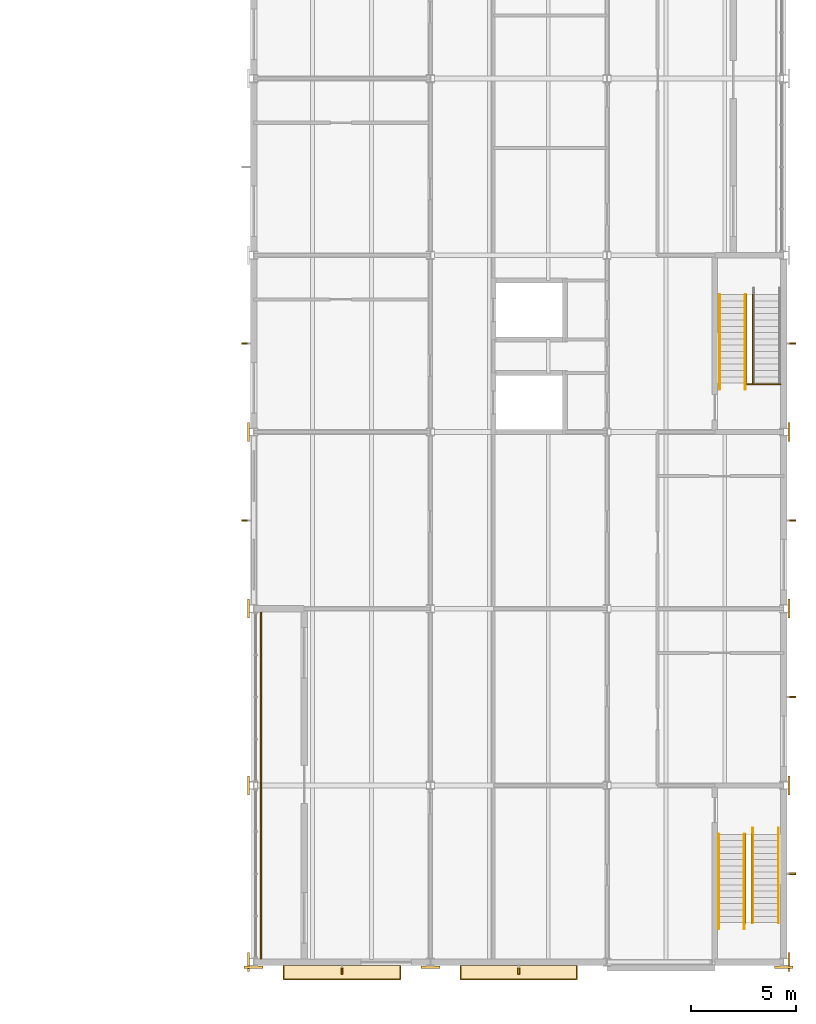
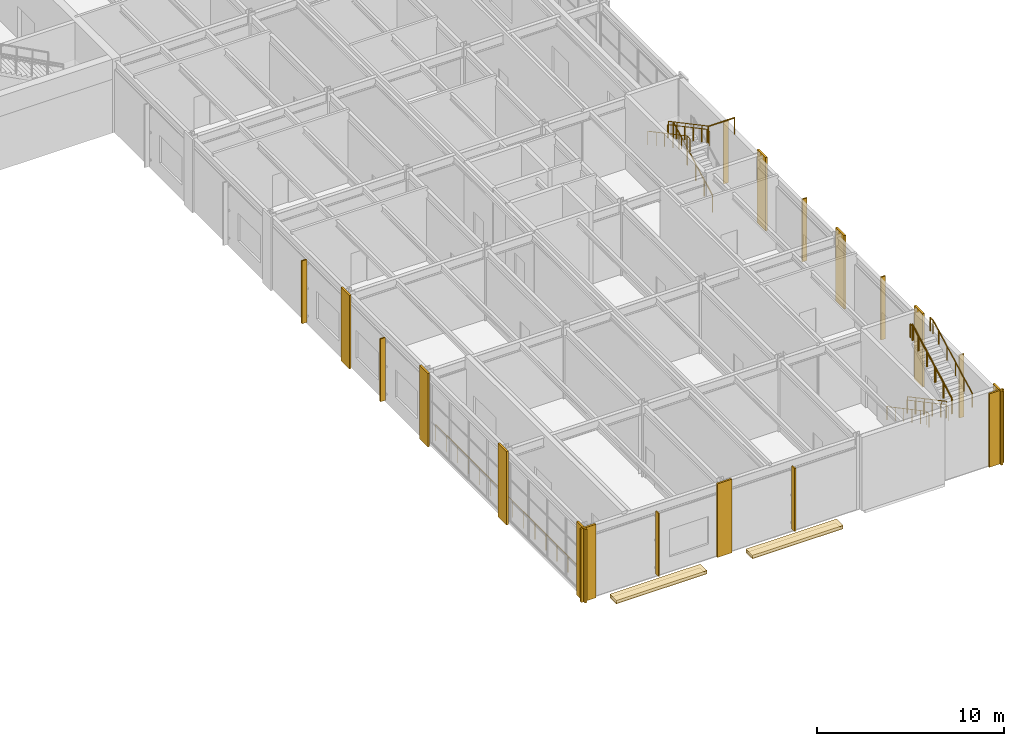
# One storey, part 113 of 127: 15 coverings, 12 railings, 8 shading devices.
"""IFC4 building model written with IfcOpenShell, lengths in metres."""

import ifcopenshell
import ifcopenshell.guid

model = None  # the IFC model being written
_history = None  # IfcOwnerHistory: only IFC2X3 demands one
_inside = {}  # id of a spatial element -> (the spatial element, [elements in it])
_under = {}  # id of a project, library or spatial element -> (it, [spatial elements below it])
_declared = {}  # id of a project -> (the project, [libraries it declares])
_typed = {}  # id of a type object -> (the type object, [elements of that type])
_made_of = {}  # id of a material, layer set ... -> (it, [elements and type objects made of it])


def new_model(schema):
    """Start an empty IFC model of exactly this schema.

    Asked for "IFC4X3", IfcOpenShell would pick the latest addendum, in which some entities
    have other attributes; the version numbers below select the first issue.
    IFC2X3 requires an IfcOwnerHistory on every rooted entity: one is made here for all.
    """
    global model, _history
    if schema == "IFC4X3":
        model = ifcopenshell.file(schema_version=(4, 3, 0, 0))
    else:
        model = ifcopenshell.file(schema=schema)
    _inside.clear()
    _under.clear()
    _declared.clear()
    _typed.clear()
    _made_of.clear()
    _history = None
    if model.schema == "IFC2X3":
        org = make("IfcOrganization", Name="unknown")
        user = make(
            "IfcPersonAndOrganization",
            ThePerson=make("IfcPerson", FamilyName="unknown"),
            TheOrganization=org,
        )
        app = make(
            "IfcApplication",
            ApplicationDeveloper=org,
            Version="unknown",
            ApplicationFullName="unknown",
            ApplicationIdentifier="unknown",
        )
        _history = make(
            "IfcOwnerHistory",
            OwningUser=user,
            OwningApplication=app,
            ChangeAction="ADDED",
            CreationDate=0,
        )
    return model


def make(cls, **values):
    """One entity of the class cls with the attributes given. An attribute that is None is left unset."""
    return model.create_entity(
        cls, **{name: value for name, value in values.items() if value is not None}
    )


def rooted(cls, **values):
    """An entity with a GlobalId (a new one), such as an element, a storey or a relation."""
    return make(cls, GlobalId=ifcopenshell.guid.new(), OwnerHistory=_history, **values)


def si_unit(unit_type, name, prefix=None):
    """IfcSIUnit, for example si_unit("LENGTHUNIT", "METRE", prefix="MILLI")."""
    return make("IfcSIUnit", UnitType=unit_type, Prefix=prefix, Name=name)


def assignment(units):
    """IfcUnitAssignment: the units of a project."""
    return None if units is None else make("IfcUnitAssignment", Units=units)


def point(xyz):
    """IfcCartesianPoint."""
    return None if xyz is None else make("IfcCartesianPoint", Coordinates=xyz)


def direction(xyz):
    """IfcDirection."""
    return None if xyz is None else make("IfcDirection", DirectionRatios=xyz)


def frame(location, z_axis=None, x_axis=None):
    """IfcAxis2Placement3D, a coordinate frame: its origin and axes. An axis left out is left unset."""
    return make(
        "IfcAxis2Placement3D",
        Location=point(location),
        Axis=direction(z_axis),
        RefDirection=direction(x_axis),
    )


def frame_2d(location, x_axis=None):
    """IfcAxis2Placement2D, a coordinate frame in the plane: its origin and x axis."""
    return make(
        "IfcAxis2Placement2D", Location=point(location), RefDirection=direction(x_axis)
    )


def origin():
    """The frame at (0, 0, 0) with its axes left unset."""
    return frame((0.0, 0.0, 0.0))


def origin_2d():
    """The frame at (0, 0) in the plane with its x axis left unset."""
    return frame_2d((0.0, 0.0))


def place(relative_to, where):
    """IfcLocalPlacement: puts the frame where relative to a parent placement (None: the world)."""
    return make(
        "IfcLocalPlacement", PlacementRelTo=relative_to, RelativePlacement=where
    )


def context(
    kind, dimensions, precision=None, world=None, true_north=None, identifier=None
):
    """IfcGeometricRepresentationContext, for example the 3D "Model" context."""
    return make(
        "IfcGeometricRepresentationContext",
        ContextIdentifier=identifier,
        ContextType=kind,
        CoordinateSpaceDimension=dimensions,
        Precision=precision,
        WorldCoordinateSystem=world,
        TrueNorth=true_north,
    )


def subcontext(parent, identifier, kind, view, scale=None):
    """IfcGeometricRepresentationSubContext, for example "Body" below "Model"."""
    return make(
        "IfcGeometricRepresentationSubContext",
        ContextIdentifier=identifier,
        ContextType=kind,
        ParentContext=parent,
        TargetScale=scale,
        TargetView=view,
    )


def project(units=None, contexts=None):
    """IfcProject with its units and contexts."""
    return rooted(
        "IfcProject",
        Name="project",
        RepresentationContexts=contexts,
        UnitsInContext=assignment(units),
    )


def spatial(cls, under=None, at=None, **own):
    """A site, building, storey or space (cls), placed at a placement, below another one or the project."""
    s = rooted(cls, ObjectPlacement=at, **own)
    if under is not None:
        _under.setdefault(under.id(), (under, []))[1].append(s)
    return s


def polyline(points):
    """IfcPolyline through the points."""
    return make("IfcPolyline", Points=[point(p) for p in points])


def profile(cls, at=None, kind="AREA", **sizes):
    """A parametric profile (cls). Its sizes go by their IFC names, for example OverallWidth=200.0."""
    return make(cls, ProfileType=kind, Position=at, **sizes)


def rectangle(**sizes):
    """IfcRectangleProfileDef."""
    return profile("IfcRectangleProfileDef", **sizes)


def circle(**sizes):
    """IfcCircleProfileDef."""
    return profile("IfcCircleProfileDef", **sizes)


def outline(outer, holes=None, kind="AREA"):
    """IfcArbitraryClosedProfileDef: a profile drawn as a closed curve; with holes, ...WithVoids."""
    if holes is None:
        return make("IfcArbitraryClosedProfileDef", ProfileType=kind, OuterCurve=outer)
    return make(
        "IfcArbitraryProfileDefWithVoids",
        ProfileType=kind,
        OuterCurve=outer,
        InnerCurves=holes,
    )


def extrude(swept, where, along, depth):
    """IfcExtrudedAreaSolid: the profile swept, set in the frame where, extruded along a direction by depth."""
    return make(
        "IfcExtrudedAreaSolid",
        SweptArea=swept,
        Position=where,
        ExtrudedDirection=direction(along),
        Depth=depth,
    )


def shape(context_of_items, identifier, shape_type, items):
    """IfcShapeRepresentation: the items that make up one representation, for example the "Body"."""
    return make(
        "IfcShapeRepresentation",
        ContextOfItems=context_of_items,
        RepresentationIdentifier=identifier,
        RepresentationType=shape_type,
        Items=items,
    )


def material(Name=None, Category=None):
    """IfcMaterial."""
    return make("IfcMaterial", Name=Name, Category=Category)


def layer(
    of_material, thickness, ventilated=None, Name=None, Category=None, Priority=None
):
    """IfcMaterialLayer: one layer of a wall or slab, of a material (None: an air gap)."""
    return make(
        "IfcMaterialLayer",
        Material=of_material,
        LayerThickness=thickness,
        IsVentilated=ventilated,
        Name=Name,
        Category=Category,
        Priority=Priority,
    )


def layer_set(layers, Name=None):
    """IfcMaterialLayerSet."""
    return make("IfcMaterialLayerSet", MaterialLayers=layers, LayerSetName=Name)


def made_of(thing, what):
    """Note that an element or type object is made of a material, layer set ...; save() writes the relation."""
    if what is not None:
        _made_of.setdefault(what.id(), (what, []))[1].append(thing)
    return thing


def type_object(cls, material=None, **own):
    """A type object (cls), such as IfcWallType, which elements share."""
    return made_of(rooted(cls, **own), material)


def element(
    cls,
    number,
    at=None,
    inside=None,
    cuts=None,
    type_object=None,
    material=None,
    context=None,
    identifier="Body",
    shape_type=None,
    held_by="IfcProductDefinitionShape",
    body=None,
    shapes=None,
    **own,
):
    """One element of the class cls, such as IfcWall. Its Tag is "e" and its number.

    at: its placement. inside: the storey or other place that contains it. cuts: it is an
    opening in that element (IfcRelVoidsElement). A single representation is given by context,
    identifier, shape_type and body (its items); several are given by shapes. held_by: the class
    of the entity that holds the representations. save() writes the other relations.
    """
    e = rooted(cls, Tag="e%d" % number, ObjectPlacement=at, **own)
    if body is not None:
        shapes = [shape(context, identifier, shape_type, body)]
    if shapes is not None:
        e.Representation = make(held_by, Representations=shapes)
    if inside is not None:
        _inside.setdefault(inside.id(), (inside, []))[1].append(e)
    if cuts is not None:
        rooted(
            "IfcRelVoidsElement", RelatingBuildingElement=cuts, RelatedOpeningElement=e
        )
    if type_object is not None:
        _typed.setdefault(type_object.id(), (type_object, []))[1].append(e)
    return made_of(e, material)


def aggregate(whole, parts):
    """IfcRelAggregates: a whole, such as a stair, and the parts it consists of."""
    return rooted("IfcRelAggregates", RelatingObject=whole, RelatedObjects=parts)


def save(model, path):
    """Write the relations noted so far, then the file.

    IfcRelAggregates (storeys below a building ...), IfcRelContainedInSpatialStructure (elements
    in a storey), IfcRelDefinesByType, IfcRelAssociatesMaterial and IfcRelDeclares: one each for
    every whole, place, type object, material and project.
    """
    for whole, parts in _under.values():
        aggregate(whole, parts)
    for where, things in _inside.values():
        rooted(
            "IfcRelContainedInSpatialStructure",
            RelatedElements=things,
            RelatingStructure=where,
        )
    for kind, things in _typed.values():
        rooted("IfcRelDefinesByType", RelatedObjects=things, RelatingType=kind)
    for what, things in _made_of.values():
        rooted("IfcRelAssociatesMaterial", RelatedObjects=things, RelatingMaterial=what)
    for by, libraries in _declared.values():
        rooted("IfcRelDeclares", RelatingContext=by, RelatedDefinitions=libraries)
    model.write(path)


model = new_model("IFC4")

# Units and contexts
model_context = context("Model", 3, precision=1e-05, world=origin(), true_north=direction((0.0, 1.0)))
body_context = subcontext(model_context, "Body", "Model", "MODEL_VIEW")
ifc_project = project(units=[si_unit("LENGTHUNIT", "METRE"), si_unit("AREAUNIT", "SQUARE_METRE"), si_unit("VOLUMEUNIT", "CUBIC_METRE"), si_unit("PLANEANGLEUNIT", "RADIAN"), si_unit("MASSUNIT", "GRAM", prefix="KILO")], contexts=[model_context])

# Site, building, storey
site_placement = place(None, origin())
site = spatial("IfcSite", under=ifc_project, at=site_placement, CompositionType="ELEMENT")
building_placement = place(site_placement, origin())
building = spatial("IfcBuilding", under=site, at=building_placement, Name="Ljudholm Concert House", CompositionType="ELEMENT")
storey_placement = place(building_placement, frame((0.0, 0.0, 5.39990234375)))
storey = spatial("IfcBuildingStorey", under=building, at=storey_placement, Name="L01", CompositionType="ELEMENT", Elevation=5.39990234375)

# Coverings
ifc_material_1 = material(Name="Aluminium extrusion with timber-grain PVDF finish", Category="aluminium")
ifc_layer_1 = layer(ifc_material_1, 0.030029296875)
ifc_layer_set_1 = layer_set([ifc_layer_1], Name="Aluminium extrusion with timber-grain PVDF finish")
covering_type_1 = type_object("IfcCoveringType", Name="ALUMINIUM EXTRUSION WITH TIMBER-GRAIN PVDF FINISH CEILING 30", PredefinedType="CEILING", material=ifc_layer_set_1)
covering_1_placement = place(storey_placement, frame((0.0, 0.0, -0.429931640625)))
element("IfcCovering", 1, at=covering_1_placement, inside=storey, type_object=covering_type_1, Name="Loading dock soffit", PredefinedType="CEILING", context=body_context, shape_type="SweptSolid", body=[
    extrude(outline(polyline([(97.85009765625, 3.199951171875), (103.35009765625, 3.199951171875), (103.35009765625, 3.85009765625), (97.85009765625, 3.85009765625), (97.85009765625, 3.199951171875)])), origin(), (0.0, 0.0, 1.0), 0.030029296875),
])
covering_2_placement = place(storey_placement, frame((0.0, 0.0, -0.429931640625)))
element("IfcCovering", 2, at=covering_2_placement, inside=storey, type_object=covering_type_1, Name="Loading dock soffit", PredefinedType="CEILING", context=body_context, shape_type="SweptSolid", body=[
    extrude(outline(polyline([(106.25, 3.199951171875), (111.75, 3.199951171875), (111.75, 3.85009765625), (106.25, 3.85009765625), (106.25, 3.199951171875)])), origin(), (0.0, 0.0, 1.0), 0.030029296875),
])

# Shading devices
ifc_material_2 = material(Name="Aluminium extrusion with timber-grain PVDF finish", Category="aluminium")
shading_device_type = type_object("IfcShadingDeviceType", Name="FACADE FIN 300x80", PredefinedType="SHUTTER", material=ifc_material_2)
for number, where, z_axis, x_axis, name in (
    (3, (122.02001953125, 8.199951171875, 0.25), (0.0, 0.0, 1.0), (1.0, 0.0, 0.0), "Facade fin"),
    (4, (122.02001953125, 16.60009765625, 0.25), (0.0, 0.0, 1.0), (1.0, 0.0, 0.0), "Facade fin"),
    (5, (122.02001953125, 25.0, 0.25), (0.0, 0.0, 1.0), (1.0, 0.0, 0.0), "Facade fin"),
    (6, (122.02001953125, 33.39990234375, 0.25), (0.0, 0.0, 1.0), (1.0, 0.0, 0.0), "Facade fin"),
    (7, (100.60009765625, 3.580078125, 0.25), (0.0, 0.0, 1.0), (0.0, -1.0, 0.0), "Facade fin"),
    (8, (109.0, 3.580078125, 0.25), (0.0, 0.0, 1.0), (0.0, -1.0, 0.0), "Facade fin"),
    (9, (95.97998046875, 25.0, 0.25), (0.0, 0.0, 1.0), (-1.0, 0.0, 0.0), "Facade fin"),
    (10, (95.97998046875, 33.39990234375, 0.25), (0.0, 0.0, 1.0), (-1.0, 0.0, 0.0), "Facade fin"),
):
    element("IfcShadingDevice", number, at=place(storey_placement, frame(where, z_axis=z_axis, x_axis=x_axis)), inside=storey, type_object=shading_device_type, Name=name, PredefinedType="SHUTTER", context=body_context, shape_type="SweptSolid", body=[
        extrude(rectangle(XDim=0.300048828125, YDim=0.080078125, at=origin_2d()), origin(), (0.0, 0.0, 1.0), 4.10009765625),
    ])

# Railings
ifc_material_3 = material(Name="Steel ASTM A36", Category="steel")
railing_type_1 = type_object("IfcRailingType", Name="GUARD 1100", PredefinedType="GUARDRAIL", material=ifc_material_3)
railing_1_placement = place(storey_placement, frame((119.77490234375, 10.074951171875, 0.16015625)))
element("IfcRailing", 11, at=railing_1_placement, inside=storey, type_object=railing_type_1, Name="Guard", PredefinedType="GUARDRAIL", context=body_context, shape_type="SweptSolid", body=[
    extrude(circle(Radius=0.02490234375, at=origin_2d()), frame((0.0, 0.0, 1.0751953125), z_axis=(0.0, -0.88233968818, 0.47061308382), x_axis=(1.0, 0.0, 0.0)), (0.0, 0.0, 1.0), 1.02001953125),
    extrude(circle(Radius=0.02490234375, at=origin_2d()), frame((0.0, -0.89990234375, 1.55517578125), z_axis=(0.0, -0.882392687573, 0.470513703219), x_axis=(1.0, 0.0, 0.0)), (0.0, 0.0, 1.0), 1.02001953125),
    extrude(circle(Radius=0.02490234375, at=origin_2d()), frame((0.0, -1.800048828125, 2.03515625), z_axis=(0.0, -0.88233968818, 0.47061308382), x_axis=(1.0, 0.0, 0.0)), (0.0, 0.0, 1.0), 1.02001953125),
    extrude(circle(Radius=0.02490234375, at=origin_2d()), frame((0.0, -2.699951171875, 2.51513671875), z_axis=(0.0, -0.88233968818, 0.47061308382), x_axis=(1.0, 0.0, 0.0)), (0.0, 0.0, 1.0), 1.02001953125),
    extrude(circle(Radius=0.02490234375, at=origin_2d()), frame((0.0, -3.599853515625, 2.9951171875), z_axis=(0.0, -0.882343004153, 0.470606866739), x_axis=(1.0, 0.0, 0.0)), (0.0, 0.0, 1.0), 0.68017578125),
    extrude(circle(Radius=0.02099609375, at=origin_2d()), origin(), (0.0, 0.0, 1.0), 1.050048828125),
    extrude(circle(Radius=0.02099609375, at=origin_2d()), frame((0.0, -0.89990234375, 0.47998046875)), (0.0, 0.0, 1.0), 1.050048828125),
    extrude(circle(Radius=0.02099609375, at=origin_2d()), frame((0.0, -1.800048828125, 0.9599609375)), (0.0, 0.0, 1.0), 1.050048828125),
    extrude(circle(Radius=0.02099609375, at=origin_2d()), frame((0.0, -2.699951171875, 1.43994140625)), (0.0, 0.0, 1.0), 1.050048828125),
    extrude(circle(Radius=0.02099609375, at=origin_2d()), frame((0.0, -3.599853515625, 1.919921875)), (0.0, 0.0, 1.0), 1.050048828125),
    extrude(circle(Radius=0.02099609375, at=origin_2d()), frame((0.0, -4.199951171875, 2.239990234375)), (0.0, 0.0, 1.0), 1.050048828125),
])
railing_2_placement = place(storey_placement, frame((120.074951171875, 5.875, 2.56005859375)))
element("IfcRailing", 12, at=railing_2_placement, inside=storey, type_object=railing_type_1, Name="Guard", PredefinedType="GUARDRAIL", context=body_context, shape_type="SweptSolid", body=[
    extrude(circle(Radius=0.02490234375, at=origin_2d()), frame((0.0, 0.0, 1.0751953125), z_axis=(0.0, 0.88233968818, 0.47061308382), x_axis=(-1.0, 0.0, 0.0)), (0.0, 0.0, 1.0), 1.02001953125),
    extrude(circle(Radius=0.02490234375, at=origin_2d()), frame((0.0, 0.89990234375, 1.55517578125), z_axis=(0.0, 0.882392687573, 0.470513703219), x_axis=(-1.0, 0.0, 0.0)), (0.0, 0.0, 1.0), 1.02001953125),
    extrude(circle(Radius=0.02490234375, at=origin_2d()), frame((0.0, 1.800048828125, 2.03515625), z_axis=(0.0, 0.88233968818, 0.47061308382), x_axis=(-1.0, 0.0, 0.0)), (0.0, 0.0, 1.0), 1.02001953125),
    extrude(circle(Radius=0.02490234375, at=origin_2d()), frame((0.0, 2.699951171875, 2.51513671875), z_axis=(0.0, 0.882392687573, 0.470513703219), x_axis=(-1.0, 0.0, 0.0)), (0.0, 0.0, 1.0), 1.02001953125),
    extrude(circle(Radius=0.02490234375, at=origin_2d()), frame((0.0, 3.60009765625, 2.9951171875), z_axis=(0.0, 0.88226346546, 0.470755963866), x_axis=(-1.0, 0.0, 0.0)), (0.0, 0.0, 1.0), 0.679931640625),
    extrude(circle(Radius=0.02099609375, at=origin_2d()), origin(), (0.0, 0.0, 1.0), 1.050048828125),
    extrude(circle(Radius=0.02099609375, at=origin_2d()), frame((0.0, 0.89990234375, 0.47998046875)), (0.0, 0.0, 1.0), 1.050048828125),
    extrude(circle(Radius=0.02099609375, at=origin_2d()), frame((0.0, 1.800048828125, 0.9599609375)), (0.0, 0.0, 1.0), 1.050048828125),
    extrude(circle(Radius=0.02099609375, at=origin_2d()), frame((0.0, 2.699951171875, 1.43994140625)), (0.0, 0.0, 1.0), 1.050048828125),
    extrude(circle(Radius=0.02099609375, at=origin_2d()), frame((0.0, 3.60009765625, 1.919921875)), (0.0, 0.0, 1.0), 1.050048828125),
    extrude(circle(Radius=0.02099609375, at=origin_2d()), frame((0.0, 4.199951171875, 2.239990234375)), (0.0, 0.0, 1.0), 1.050048828125),
])
railing_3_placement = place(storey_placement, frame((120.125, 31.52490234375, 0.16015625)))
element("IfcRailing", 13, at=railing_3_placement, inside=storey, type_object=railing_type_1, Name="Guard", PredefinedType="GUARDRAIL", context=body_context, shape_type="SweptSolid", body=[
    extrude(circle(Radius=0.02490234375, at=origin_2d()), frame((0.0, 0.0, 1.0751953125), z_axis=(0.0, 0.882392687573, 0.470513703219), x_axis=(-1.0, 0.0, 0.0)), (0.0, 0.0, 1.0), 1.02001953125),
    extrude(circle(Radius=0.02490234375, at=origin_2d()), frame((0.0, 0.900146484375, 1.55517578125), z_axis=(0.0, 0.88233968818, 0.47061308382), x_axis=(-1.0, 0.0, 0.0)), (0.0, 0.0, 1.0), 1.02001953125),
    extrude(circle(Radius=0.02490234375, at=origin_2d()), frame((0.0, 1.800048828125, 2.03515625), z_axis=(0.0, 0.882392687573, 0.470513703219), x_axis=(-1.0, 0.0, 0.0)), (0.0, 0.0, 1.0), 1.02001953125),
    extrude(circle(Radius=0.02490234375, at=origin_2d()), frame((0.0, 2.7001953125, 2.51513671875), z_axis=(0.0, 0.88233968818, 0.47061308382), x_axis=(-1.0, 0.0, 0.0)), (0.0, 0.0, 1.0), 1.02001953125),
    extrude(circle(Radius=0.02490234375, at=origin_2d()), frame((0.0, 3.60009765625, 2.9951171875), z_axis=(0.0, 0.882343004153, 0.470606866739), x_axis=(-1.0, 0.0, 0.0)), (0.0, 0.0, 1.0), 0.68017578125),
    extrude(circle(Radius=0.02099609375, at=origin_2d()), origin(), (0.0, 0.0, 1.0), 1.050048828125),
    extrude(circle(Radius=0.02099609375, at=origin_2d()), frame((0.0, 0.900146484375, 0.47998046875)), (0.0, 0.0, 1.0), 1.050048828125),
    extrude(circle(Radius=0.02099609375, at=origin_2d()), frame((0.0, 1.800048828125, 0.9599609375)), (0.0, 0.0, 1.0), 1.050048828125),
    extrude(circle(Radius=0.02099609375, at=origin_2d()), frame((0.0, 2.7001953125, 1.43994140625)), (0.0, 0.0, 1.0), 1.050048828125),
    extrude(circle(Radius=0.02099609375, at=origin_2d()), frame((0.0, 3.60009765625, 1.919921875)), (0.0, 0.0, 1.0), 1.050048828125),
    extrude(circle(Radius=0.02099609375, at=origin_2d()), frame((0.0, 4.2001953125, 2.239990234375)), (0.0, 0.0, 1.0), 1.050048828125),
])
railing_4_placement = place(storey_placement, frame((119.824951171875, 35.72509765625, 2.56005859375)))
element("IfcRailing", 14, at=railing_4_placement, inside=storey, type_object=railing_type_1, Name="Guard", PredefinedType="GUARDRAIL", context=body_context, shape_type="SweptSolid", body=[
    extrude(circle(Radius=0.02490234375, at=origin_2d()), frame((0.0, 0.0, 1.0751953125), z_axis=(0.0, -0.882392687573, 0.470513703219), x_axis=(1.0, 0.0, 0.0)), (0.0, 0.0, 1.0), 1.02001953125),
    extrude(circle(Radius=0.02490234375, at=origin_2d()), frame((0.0, -0.900146484375, 1.55517578125), z_axis=(0.0, -0.88233968818, 0.47061308382), x_axis=(1.0, 0.0, 0.0)), (0.0, 0.0, 1.0), 1.02001953125),
    extrude(circle(Radius=0.02490234375, at=origin_2d()), frame((0.0, -1.800048828125, 2.03515625), z_axis=(0.0, -0.882392687573, 0.470513703219), x_axis=(1.0, 0.0, 0.0)), (0.0, 0.0, 1.0), 1.02001953125),
    extrude(circle(Radius=0.02490234375, at=origin_2d()), frame((0.0, -2.7001953125, 2.51513671875), z_axis=(0.0, -0.88233968818, 0.47061308382), x_axis=(1.0, 0.0, 0.0)), (0.0, 0.0, 1.0), 1.02001953125),
    extrude(circle(Radius=0.02490234375, at=origin_2d()), frame((0.0, -3.60009765625, 2.9951171875), z_axis=(0.0, -0.882343004153, 0.470606866739), x_axis=(1.0, 0.0, 0.0)), (0.0, 0.0, 1.0), 0.68017578125),
    extrude(circle(Radius=0.02099609375, at=origin_2d()), origin(), (0.0, 0.0, 1.0), 1.050048828125),
    extrude(circle(Radius=0.02099609375, at=origin_2d()), frame((0.0, -0.900146484375, 0.47998046875)), (0.0, 0.0, 1.0), 1.050048828125),
    extrude(circle(Radius=0.02099609375, at=origin_2d()), frame((0.0, -1.800048828125, 0.9599609375)), (0.0, 0.0, 1.0), 1.050048828125),
    extrude(circle(Radius=0.02099609375, at=origin_2d()), frame((0.0, -2.7001953125, 1.43994140625)), (0.0, 0.0, 1.0), 1.050048828125),
    extrude(circle(Radius=0.02099609375, at=origin_2d()), frame((0.0, -3.60009765625, 1.919921875)), (0.0, 0.0, 1.0), 1.050048828125),
    extrude(circle(Radius=0.02099609375, at=origin_2d()), frame((0.0, -4.2001953125, 2.239990234375)), (0.0, 0.0, 1.0), 1.050048828125),
])
railing_5_placement = place(storey_placement, frame((121.449951171875, 31.47509765625, 4.800048828125)))
element("IfcRailing", 15, at=railing_5_placement, inside=storey, type_object=railing_type_1, Name="Guard", PredefinedType="GUARDRAIL", context=body_context, shape_type="SweptSolid", body=[
    extrude(circle(Radius=0.02490234375, at=origin_2d()), frame((0.0, 0.0, 1.0751953125), z_axis=(-1.0, 0.0, 0.0), x_axis=(0.0, -1.0, 0.0)), (0.0, 0.0, 1.0), 1.599853515625),
    extrude(circle(Radius=0.02099609375, at=origin_2d()), origin(), (0.0, 0.0, 1.0), 1.050048828125),
    extrude(circle(Radius=0.02099609375, at=origin_2d()), frame((-1.599853515625, 0.0, 0.0)), (0.0, 0.0, 1.0), 1.050048828125),
])
ifc_material_4 = material(Name="Steel ASTM A36", Category="steel")
railing_type_2 = type_object("IfcRailingType", Name="GUARD 1100 EXTERNAL", PredefinedType="GUARDRAIL", material=ifc_material_4)
railing_6_placement = place(storey_placement, frame((96.75, 4.14990234375, 0.0)))
element("IfcRailing", 16, at=railing_6_placement, inside=storey, type_object=railing_type_2, Name="Loggia guard", PredefinedType="GUARDRAIL", context=body_context, shape_type="SweptSolid", body=[
    extrude(circle(Radius=0.02490234375, at=origin_2d()), frame((0.0, 0.0, 1.0751953125), z_axis=(0.0, 1.0, 0.0), x_axis=(-1.0, 0.0, 0.0)), (0.0, 0.0, 1.0), 16.5),
    extrude(circle(Radius=0.02099609375, at=origin_2d()), origin(), (0.0, 0.0, 1.0), 1.050048828125),
    extrude(circle(Radius=0.02099609375, at=origin_2d()), frame((0.0, 1.178466796875, 0.0)), (0.0, 0.0, 1.0), 1.050048828125),
    extrude(circle(Radius=0.02099609375, at=origin_2d()), frame((0.0, 2.357177734375, 0.0)), (0.0, 0.0, 1.0), 1.050048828125),
    extrude(circle(Radius=0.02099609375, at=origin_2d()), frame((0.0, 3.53564453125, 0.0)), (0.0, 0.0, 1.0), 1.050048828125),
    extrude(circle(Radius=0.02099609375, at=origin_2d()), frame((0.0, 4.71435546875, 0.0)), (0.0, 0.0, 1.0), 1.050048828125),
    extrude(circle(Radius=0.02099609375, at=origin_2d()), frame((0.0, 5.892822265625, 0.0)), (0.0, 0.0, 1.0), 1.050048828125),
    extrude(circle(Radius=0.02099609375, at=origin_2d()), frame((0.0, 7.071533203125, 0.0)), (0.0, 0.0, 1.0), 1.050048828125),
    extrude(circle(Radius=0.02099609375, at=origin_2d()), frame((0.0, 8.25, 0.0)), (0.0, 0.0, 1.0), 1.050048828125),
    extrude(circle(Radius=0.02099609375, at=origin_2d()), frame((0.0, 9.428466796875, 0.0)), (0.0, 0.0, 1.0), 1.050048828125),
    extrude(circle(Radius=0.02099609375, at=origin_2d()), frame((0.0, 10.607177734375, 0.0)), (0.0, 0.0, 1.0), 1.050048828125),
    extrude(circle(Radius=0.02099609375, at=origin_2d()), frame((0.0, 11.78564453125, 0.0)), (0.0, 0.0, 1.0), 1.050048828125),
    extrude(circle(Radius=0.02099609375, at=origin_2d()), frame((0.0, 12.96435546875, 0.0)), (0.0, 0.0, 1.0), 1.050048828125),
    extrude(circle(Radius=0.02099609375, at=origin_2d()), frame((0.0, 14.142822265625, 0.0)), (0.0, 0.0, 1.0), 1.050048828125),
    extrude(circle(Radius=0.02099609375, at=origin_2d()), frame((0.0, 15.321533203125, 0.0)), (0.0, 0.0, 1.0), 1.050048828125),
    extrude(circle(Radius=0.02099609375, at=origin_2d()), frame((0.0, 16.5, 0.0)), (0.0, 0.0, 1.0), 1.050048828125),
])
ifc_material_5 = material(Name="Steel ASTM A36", Category="steel")
railing_type_3 = type_object("IfcRailingType", Name="HANDRAIL 900", PredefinedType="HANDRAIL", material=ifc_material_5)
railing_7_placement = place(storey_placement, frame((119.72509765625, 10.074951171875, 0.16015625)))
element("IfcRailing", 17, at=railing_7_placement, inside=storey, type_object=railing_type_3, Name="Handrail", PredefinedType="HANDRAIL", context=body_context, shape_type="SweptSolid", body=[
    extrude(circle(Radius=0.0224609375, at=origin_2d()), frame((0.0, 0.0, 0.87744140625), z_axis=(0.0, -0.88233968818, 0.47061308382), x_axis=(1.0, 0.0, 0.0)), (0.0, 0.0, 1.0), 1.02001953125),
    extrude(circle(Radius=0.0224609375, at=origin_2d()), frame((0.0, -0.89990234375, 1.357421875), z_axis=(0.0, -0.882392687573, 0.470513703219), x_axis=(1.0, 0.0, 0.0)), (0.0, 0.0, 1.0), 1.02001953125),
    extrude(circle(Radius=0.0224609375, at=origin_2d()), frame((0.0, -1.800048828125, 1.83740234375), z_axis=(0.0, -0.88233968818, 0.47061308382), x_axis=(1.0, 0.0, 0.0)), (0.0, 0.0, 1.0), 1.02001953125),
    extrude(circle(Radius=0.0224609375, at=origin_2d()), frame((0.0, -2.699951171875, 2.3173828125), z_axis=(0.0, -0.88233968818, 0.47061308382), x_axis=(1.0, 0.0, 0.0)), (0.0, 0.0, 1.0), 1.02001953125),
    extrude(circle(Radius=0.0224609375, at=origin_2d()), frame((0.0, -3.599853515625, 2.79736328125), z_axis=(0.0, -0.882343004153, 0.470606866739), x_axis=(1.0, 0.0, 0.0)), (0.0, 0.0, 1.0), 0.68017578125),
    extrude(circle(Radius=0.0224609375, at=origin_2d()), frame((0.0, -4.199951171875, 3.117431640625), z_axis=(0.0, -1.0, 0.0), x_axis=(1.0, 0.0, 0.0)), (0.0, 0.0, 1.0), 0.300048828125),
    extrude(circle(Radius=0.02099609375, at=origin_2d()), origin(), (0.0, 0.0, 1.0), 0.85498046875),
    extrude(circle(Radius=0.02099609375, at=origin_2d()), frame((0.0, -0.89990234375, 0.47998046875)), (0.0, 0.0, 1.0), 0.85498046875),
    extrude(circle(Radius=0.02099609375, at=origin_2d()), frame((0.0, -1.800048828125, 0.9599609375)), (0.0, 0.0, 1.0), 0.85498046875),
    extrude(circle(Radius=0.02099609375, at=origin_2d()), frame((0.0, -2.699951171875, 1.43994140625)), (0.0, 0.0, 1.0), 0.85498046875),
    extrude(circle(Radius=0.02099609375, at=origin_2d()), frame((0.0, -3.599853515625, 1.919921875)), (0.0, 0.0, 1.0), 0.85498046875),
    extrude(circle(Radius=0.02099609375, at=origin_2d()), frame((0.0, -4.199951171875, 2.239990234375)), (0.0, 0.0, 1.0), 0.85498046875),
    extrude(circle(Radius=0.02099609375, at=origin_2d()), frame((0.0, -4.5, 2.239990234375)), (0.0, 0.0, 1.0), 0.85498046875),
])
railing_8_placement = place(storey_placement, frame((118.5, 10.074951171875, 0.16015625)))
element("IfcRailing", 18, at=railing_8_placement, inside=storey, type_object=railing_type_3, Name="Handrail", PredefinedType="HANDRAIL", context=body_context, shape_type="SweptSolid", body=[
    extrude(circle(Radius=0.0224609375, at=origin_2d()), frame((0.0, 0.0, 0.87744140625), z_axis=(0.0, -0.88233968818, 0.47061308382), x_axis=(1.0, 0.0, 0.0)), (0.0, 0.0, 1.0), 1.02001953125),
    extrude(circle(Radius=0.0224609375, at=origin_2d()), frame((0.0, -0.89990234375, 1.357421875), z_axis=(0.0, -0.882392687573, 0.470513703219), x_axis=(1.0, 0.0, 0.0)), (0.0, 0.0, 1.0), 1.02001953125),
    extrude(circle(Radius=0.0224609375, at=origin_2d()), frame((0.0, -1.800048828125, 1.83740234375), z_axis=(0.0, -0.88233968818, 0.47061308382), x_axis=(1.0, 0.0, 0.0)), (0.0, 0.0, 1.0), 1.02001953125),
    extrude(circle(Radius=0.0224609375, at=origin_2d()), frame((0.0, -2.699951171875, 2.3173828125), z_axis=(0.0, -0.88233968818, 0.47061308382), x_axis=(1.0, 0.0, 0.0)), (0.0, 0.0, 1.0), 1.02001953125),
    extrude(circle(Radius=0.0224609375, at=origin_2d()), frame((0.0, -3.599853515625, 2.79736328125), z_axis=(0.0, -0.882343004153, 0.470606866739), x_axis=(1.0, 0.0, 0.0)), (0.0, 0.0, 1.0), 0.68017578125),
    extrude(circle(Radius=0.0224609375, at=origin_2d()), frame((0.0, -4.199951171875, 3.117431640625), z_axis=(0.0, -1.0, 0.0), x_axis=(1.0, 0.0, 0.0)), (0.0, 0.0, 1.0), 0.300048828125),
    extrude(circle(Radius=0.02099609375, at=origin_2d()), origin(), (0.0, 0.0, 1.0), 0.85498046875),
    extrude(circle(Radius=0.02099609375, at=origin_2d()), frame((0.0, -0.89990234375, 0.47998046875)), (0.0, 0.0, 1.0), 0.85498046875),
    extrude(circle(Radius=0.02099609375, at=origin_2d()), frame((0.0, -1.800048828125, 0.9599609375)), (0.0, 0.0, 1.0), 0.85498046875),
    extrude(circle(Radius=0.02099609375, at=origin_2d()), frame((0.0, -2.699951171875, 1.43994140625)), (0.0, 0.0, 1.0), 0.85498046875),
    extrude(circle(Radius=0.02099609375, at=origin_2d()), frame((0.0, -3.599853515625, 1.919921875)), (0.0, 0.0, 1.0), 0.85498046875),
    extrude(circle(Radius=0.02099609375, at=origin_2d()), frame((0.0, -4.199951171875, 2.239990234375)), (0.0, 0.0, 1.0), 0.85498046875),
    extrude(circle(Radius=0.02099609375, at=origin_2d()), frame((0.0, -4.5, 2.239990234375)), (0.0, 0.0, 1.0), 0.85498046875),
])
railing_9_placement = place(storey_placement, frame((120.125, 5.875, 2.56005859375)))
element("IfcRailing", 19, at=railing_9_placement, inside=storey, type_object=railing_type_3, Name="Handrail", PredefinedType="HANDRAIL", context=body_context, shape_type="SweptSolid", body=[
    extrude(circle(Radius=0.0224609375, at=origin_2d()), frame((0.0, 0.0, 0.87744140625), z_axis=(0.0, 0.88233968818, 0.47061308382), x_axis=(-1.0, 0.0, 0.0)), (0.0, 0.0, 1.0), 1.02001953125),
    extrude(circle(Radius=0.0224609375, at=origin_2d()), frame((0.0, 0.89990234375, 1.357421875), z_axis=(0.0, 0.882392687573, 0.470513703219), x_axis=(-1.0, 0.0, 0.0)), (0.0, 0.0, 1.0), 1.02001953125),
    extrude(circle(Radius=0.0224609375, at=origin_2d()), frame((0.0, 1.800048828125, 1.83740234375), z_axis=(0.0, 0.88233968818, 0.47061308382), x_axis=(-1.0, 0.0, 0.0)), (0.0, 0.0, 1.0), 1.02001953125),
    extrude(circle(Radius=0.0224609375, at=origin_2d()), frame((0.0, 2.699951171875, 2.3173828125), z_axis=(0.0, 0.882392687573, 0.470513703219), x_axis=(-1.0, 0.0, 0.0)), (0.0, 0.0, 1.0), 1.02001953125),
    extrude(circle(Radius=0.0224609375, at=origin_2d()), frame((0.0, 3.60009765625, 2.79736328125), z_axis=(0.0, 0.88226346546, 0.470755963866), x_axis=(-1.0, 0.0, 0.0)), (0.0, 0.0, 1.0), 0.679931640625),
    extrude(circle(Radius=0.0224609375, at=origin_2d()), frame((0.0, 4.199951171875, 3.117431640625), z_axis=(0.0, 1.0, 0.0), x_axis=(-1.0, 0.0, 0.0)), (0.0, 0.0, 1.0), 0.300048828125),
    extrude(circle(Radius=0.02099609375, at=origin_2d()), origin(), (0.0, 0.0, 1.0), 0.85498046875),
    extrude(circle(Radius=0.02099609375, at=origin_2d()), frame((0.0, 0.89990234375, 0.47998046875)), (0.0, 0.0, 1.0), 0.85498046875),
    extrude(circle(Radius=0.02099609375, at=origin_2d()), frame((0.0, 1.800048828125, 0.9599609375)), (0.0, 0.0, 1.0), 0.85498046875),
    extrude(circle(Radius=0.02099609375, at=origin_2d()), frame((0.0, 2.699951171875, 1.43994140625)), (0.0, 0.0, 1.0), 0.85498046875),
    extrude(circle(Radius=0.02099609375, at=origin_2d()), frame((0.0, 3.60009765625, 1.919921875)), (0.0, 0.0, 1.0), 0.85498046875),
    extrude(circle(Radius=0.02099609375, at=origin_2d()), frame((0.0, 4.199951171875, 2.239990234375)), (0.0, 0.0, 1.0), 0.85498046875),
    extrude(circle(Radius=0.02099609375, at=origin_2d()), frame((0.0, 4.5, 2.239990234375)), (0.0, 0.0, 1.0), 0.85498046875),
])
railing_10_placement = place(storey_placement, frame((121.35009765625, 5.875, 2.56005859375)))
element("IfcRailing", 20, at=railing_10_placement, inside=storey, type_object=railing_type_3, Name="Handrail", PredefinedType="HANDRAIL", context=body_context, shape_type="SweptSolid", body=[
    extrude(circle(Radius=0.0224609375, at=origin_2d()), frame((0.0, 0.0, 0.87744140625), z_axis=(0.0, 0.88233968818, 0.47061308382), x_axis=(-1.0, 0.0, 0.0)), (0.0, 0.0, 1.0), 1.02001953125),
    extrude(circle(Radius=0.0224609375, at=origin_2d()), frame((0.0, 0.89990234375, 1.357421875), z_axis=(0.0, 0.882392687573, 0.470513703219), x_axis=(-1.0, 0.0, 0.0)), (0.0, 0.0, 1.0), 1.02001953125),
    extrude(circle(Radius=0.0224609375, at=origin_2d()), frame((0.0, 1.800048828125, 1.83740234375), z_axis=(0.0, 0.88233968818, 0.47061308382), x_axis=(-1.0, 0.0, 0.0)), (0.0, 0.0, 1.0), 1.02001953125),
    extrude(circle(Radius=0.0224609375, at=origin_2d()), frame((0.0, 2.699951171875, 2.3173828125), z_axis=(0.0, 0.882392687573, 0.470513703219), x_axis=(-1.0, 0.0, 0.0)), (0.0, 0.0, 1.0), 1.02001953125),
    extrude(circle(Radius=0.0224609375, at=origin_2d()), frame((0.0, 3.60009765625, 2.79736328125), z_axis=(0.0, 0.88226346546, 0.470755963866), x_axis=(-1.0, 0.0, 0.0)), (0.0, 0.0, 1.0), 0.679931640625),
    extrude(circle(Radius=0.0224609375, at=origin_2d()), frame((0.0, 4.199951171875, 3.117431640625), z_axis=(0.0, 1.0, 0.0), x_axis=(-1.0, 0.0, 0.0)), (0.0, 0.0, 1.0), 0.300048828125),
    extrude(circle(Radius=0.02099609375, at=origin_2d()), origin(), (0.0, 0.0, 1.0), 0.85498046875),
    extrude(circle(Radius=0.02099609375, at=origin_2d()), frame((0.0, 0.89990234375, 0.47998046875)), (0.0, 0.0, 1.0), 0.85498046875),
    extrude(circle(Radius=0.02099609375, at=origin_2d()), frame((0.0, 1.800048828125, 0.9599609375)), (0.0, 0.0, 1.0), 0.85498046875),
    extrude(circle(Radius=0.02099609375, at=origin_2d()), frame((0.0, 2.699951171875, 1.43994140625)), (0.0, 0.0, 1.0), 0.85498046875),
    extrude(circle(Radius=0.02099609375, at=origin_2d()), frame((0.0, 3.60009765625, 1.919921875)), (0.0, 0.0, 1.0), 0.85498046875),
    extrude(circle(Radius=0.02099609375, at=origin_2d()), frame((0.0, 4.199951171875, 2.239990234375)), (0.0, 0.0, 1.0), 0.85498046875),
    extrude(circle(Radius=0.02099609375, at=origin_2d()), frame((0.0, 4.5, 2.239990234375)), (0.0, 0.0, 1.0), 0.85498046875),
])
railing_11_placement = place(storey_placement, frame((119.77490234375, 35.72509765625, 2.56005859375)))
element("IfcRailing", 21, at=railing_11_placement, inside=storey, type_object=railing_type_3, Name="Handrail", PredefinedType="HANDRAIL", context=body_context, shape_type="SweptSolid", body=[
    extrude(circle(Radius=0.0224609375, at=origin_2d()), frame((0.0, 0.0, 0.87744140625), z_axis=(0.0, -0.882392687573, 0.470513703219), x_axis=(1.0, 0.0, 0.0)), (0.0, 0.0, 1.0), 1.02001953125),
    extrude(circle(Radius=0.0224609375, at=origin_2d()), frame((0.0, -0.900146484375, 1.357421875), z_axis=(0.0, -0.88233968818, 0.47061308382), x_axis=(1.0, 0.0, 0.0)), (0.0, 0.0, 1.0), 1.02001953125),
    extrude(circle(Radius=0.0224609375, at=origin_2d()), frame((0.0, -1.800048828125, 1.83740234375), z_axis=(0.0, -0.882392687573, 0.470513703219), x_axis=(1.0, 0.0, 0.0)), (0.0, 0.0, 1.0), 1.02001953125),
    extrude(circle(Radius=0.0224609375, at=origin_2d()), frame((0.0, -2.7001953125, 2.3173828125), z_axis=(0.0, -0.88233968818, 0.47061308382), x_axis=(1.0, 0.0, 0.0)), (0.0, 0.0, 1.0), 1.02001953125),
    extrude(circle(Radius=0.0224609375, at=origin_2d()), frame((0.0, -3.60009765625, 2.79736328125), z_axis=(0.0, -0.882343004153, 0.470606866739), x_axis=(1.0, 0.0, 0.0)), (0.0, 0.0, 1.0), 0.68017578125),
    extrude(circle(Radius=0.0224609375, at=origin_2d()), frame((0.0, -4.2001953125, 3.117431640625), z_axis=(0.0, -1.0, 0.0), x_axis=(1.0, 0.0, 0.0)), (0.0, 0.0, 1.0), 0.2998046875),
    extrude(circle(Radius=0.02099609375, at=origin_2d()), origin(), (0.0, 0.0, 1.0), 0.85498046875),
    extrude(circle(Radius=0.02099609375, at=origin_2d()), frame((0.0, -0.900146484375, 0.47998046875)), (0.0, 0.0, 1.0), 0.85498046875),
    extrude(circle(Radius=0.02099609375, at=origin_2d()), frame((0.0, -1.800048828125, 0.9599609375)), (0.0, 0.0, 1.0), 0.85498046875),
    extrude(circle(Radius=0.02099609375, at=origin_2d()), frame((0.0, -2.7001953125, 1.43994140625)), (0.0, 0.0, 1.0), 0.85498046875),
    extrude(circle(Radius=0.02099609375, at=origin_2d()), frame((0.0, -3.60009765625, 1.919921875)), (0.0, 0.0, 1.0), 0.85498046875),
    extrude(circle(Radius=0.02099609375, at=origin_2d()), frame((0.0, -4.2001953125, 2.239990234375)), (0.0, 0.0, 1.0), 0.85498046875),
    extrude(circle(Radius=0.02099609375, at=origin_2d()), frame((0.0, -4.5, 2.239990234375)), (0.0, 0.0, 1.0), 0.85498046875),
])
railing_12_placement = place(storey_placement, frame((118.550048828125, 35.72509765625, 2.56005859375)))
element("IfcRailing", 22, at=railing_12_placement, inside=storey, type_object=railing_type_3, Name="Handrail", PredefinedType="HANDRAIL", context=body_context, shape_type="SweptSolid", body=[
    extrude(circle(Radius=0.0224609375, at=origin_2d()), frame((0.0, 0.0, 0.87744140625), z_axis=(0.0, -0.882392687573, 0.470513703219), x_axis=(1.0, 0.0, 0.0)), (0.0, 0.0, 1.0), 1.02001953125),
    extrude(circle(Radius=0.0224609375, at=origin_2d()), frame((0.0, -0.900146484375, 1.357421875), z_axis=(0.0, -0.88233968818, 0.47061308382), x_axis=(1.0, 0.0, 0.0)), (0.0, 0.0, 1.0), 1.02001953125),
    extrude(circle(Radius=0.0224609375, at=origin_2d()), frame((0.0, -1.800048828125, 1.83740234375), z_axis=(0.0, -0.882392687573, 0.470513703219), x_axis=(1.0, 0.0, 0.0)), (0.0, 0.0, 1.0), 1.02001953125),
    extrude(circle(Radius=0.0224609375, at=origin_2d()), frame((0.0, -2.7001953125, 2.3173828125), z_axis=(0.0, -0.88233968818, 0.47061308382), x_axis=(1.0, 0.0, 0.0)), (0.0, 0.0, 1.0), 1.02001953125),
    extrude(circle(Radius=0.0224609375, at=origin_2d()), frame((0.0, -3.60009765625, 2.79736328125), z_axis=(0.0, -0.882343004153, 0.470606866739), x_axis=(1.0, 0.0, 0.0)), (0.0, 0.0, 1.0), 0.68017578125),
    extrude(circle(Radius=0.0224609375, at=origin_2d()), frame((0.0, -4.2001953125, 3.117431640625), z_axis=(0.0, -1.0, 0.0), x_axis=(1.0, 0.0, 0.0)), (0.0, 0.0, 1.0), 0.2998046875),
    extrude(circle(Radius=0.02099609375, at=origin_2d()), origin(), (0.0, 0.0, 1.0), 0.85498046875),
    extrude(circle(Radius=0.02099609375, at=origin_2d()), frame((0.0, -0.900146484375, 0.47998046875)), (0.0, 0.0, 1.0), 0.85498046875),
    extrude(circle(Radius=0.02099609375, at=origin_2d()), frame((0.0, -1.800048828125, 0.9599609375)), (0.0, 0.0, 1.0), 0.85498046875),
    extrude(circle(Radius=0.02099609375, at=origin_2d()), frame((0.0, -2.7001953125, 1.43994140625)), (0.0, 0.0, 1.0), 0.85498046875),
    extrude(circle(Radius=0.02099609375, at=origin_2d()), frame((0.0, -3.60009765625, 1.919921875)), (0.0, 0.0, 1.0), 0.85498046875),
    extrude(circle(Radius=0.02099609375, at=origin_2d()), frame((0.0, -4.2001953125, 2.239990234375)), (0.0, 0.0, 1.0), 0.85498046875),
    extrude(circle(Radius=0.02099609375, at=origin_2d()), frame((0.0, -4.5, 2.239990234375)), (0.0, 0.0, 1.0), 0.85498046875),
])

# Coverings
ifc_material_6 = material(Name="Precast concrete, limestone aggregate", Category="masonry")
ifc_layer_2 = layer(ifc_material_6, 0.110107421875)
ifc_layer_set_2 = layer_set([ifc_layer_2], Name="Precast concrete, limestone aggregate")
covering_type_2 = type_object("IfcCoveringType", Name="PRECAST CONCRETE, LIMESTONE AGGREGATE CLADDING 110", PredefinedType="CLADDING", material=ifc_layer_set_2)
for number, where, z_axis, x_axis, name in (
    (23, (121.844970703125, 4.0, 0.0), (0.0, 0.0, 1.0), (1.0, 0.0, 0.0), "Pilaster cladding"),
    (24, (121.844970703125, 12.39990234375, 0.0), (0.0, 0.0, 1.0), (1.0, 0.0, 0.0), "Pilaster cladding"),
    (25, (121.844970703125, 20.800048828125, 0.0), (0.0, 0.0, 1.0), (1.0, 0.0, 0.0), "Pilaster cladding"),
    (26, (121.844970703125, 29.199951171875, 0.0), (0.0, 0.0, 1.0), (1.0, 0.0, 0.0), "Pilaster cladding"),
    (27, (96.39990234375, 3.7548828125, 0.0), (0.0, 0.0, 1.0), (0.0, -1.0, 0.0), "Pilaster cladding"),
    (28, (104.800048828125, 3.7548828125, 0.0), (0.0, 0.0, 1.0), (0.0, -1.0, 0.0), "Pilaster cladding"),
    (29, (121.60009765625, 3.7548828125, 0.0), (0.0, 0.0, 1.0), (0.0, -1.0, 0.0), "Pilaster cladding"),
    (30, (96.155029296875, 4.0, 0.0), (0.0, 0.0, 1.0), (-1.0, 0.0, 0.0), "Pilaster cladding"),
    (31, (96.155029296875, 12.39990234375, 0.0), (0.0, 0.0, 1.0), (-1.0, 0.0, 0.0), "Pilaster cladding"),
    (32, (96.155029296875, 20.800048828125, 0.0), (0.0, 0.0, 1.0), (-1.0, 0.0, 0.0), "Pilaster cladding"),
    (33, (96.155029296875, 29.199951171875, 0.0), (0.0, 0.0, 1.0), (-1.0, 0.0, 0.0), "Pilaster cladding"),
):
    element("IfcCovering", number, at=place(storey_placement, frame(where, z_axis=z_axis, x_axis=x_axis)), inside=storey, type_object=covering_type_2, Name=name, PredefinedType="CLADDING", context=body_context, shape_type="SweptSolid", body=[
        extrude(rectangle(XDim=0.110107421875, YDim=0.89990234375, at=origin_2d()), origin(), (0.0, 0.0, 1.0), 4.800048828125),
    ])
ifc_material_7 = material(Name="Precast concrete, limestone aggregate", Category="masonry")
ifc_layer_3 = layer(ifc_material_7, 0.219970703125)
ifc_layer_set_3 = layer_set([ifc_layer_3], Name="Precast concrete, limestone aggregate")
covering_type_3 = type_object("IfcCoveringType", Name="PRECAST CONCRETE, LIMESTONE AGGREGATE CLADDING 220", PredefinedType="CLADDING", material=ifc_layer_set_3)
covering_3_placement = place(storey_placement, frame((0.0, 0.0, -0.39990234375)))
element("IfcCovering", 34, at=covering_3_placement, inside=storey, type_object=covering_type_3, Name="Loading dock canopy", PredefinedType="CLADDING", context=body_context, shape_type="SweptSolid", body=[
    extrude(outline(polyline([(97.800048828125, 3.14990234375), (103.39990234375, 3.14990234375), (103.39990234375, 3.85009765625), (97.800048828125, 3.85009765625), (97.800048828125, 3.14990234375)])), origin(), (0.0, 0.0, 1.0), 0.219970703125),
])
covering_4_placement = place(storey_placement, frame((0.0, 0.0, -0.39990234375)))
element("IfcCovering", 35, at=covering_4_placement, inside=storey, type_object=covering_type_3, Name="Loading dock canopy", PredefinedType="CLADDING", context=body_context, shape_type="SweptSolid", body=[
    extrude(outline(polyline([(106.199951171875, 3.14990234375), (111.800048828125, 3.14990234375), (111.800048828125, 3.85009765625), (106.199951171875, 3.85009765625), (106.199951171875, 3.14990234375)])), origin(), (0.0, 0.0, 1.0), 0.219970703125),
])

save(model, "model.ifc")
